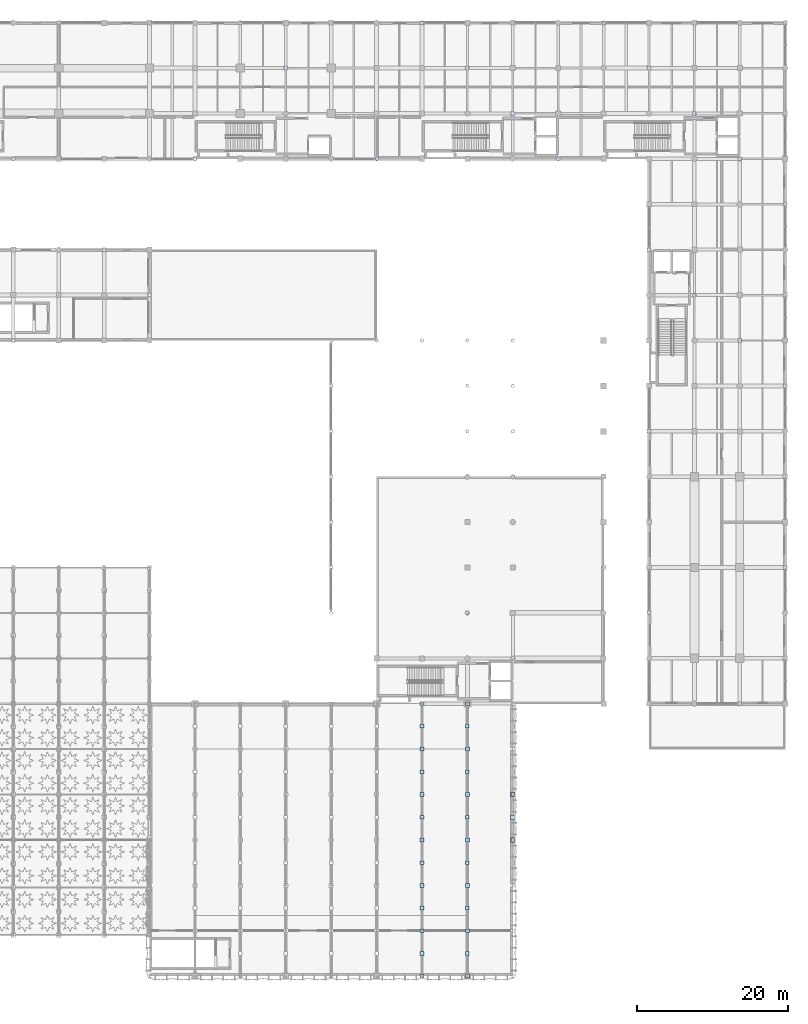
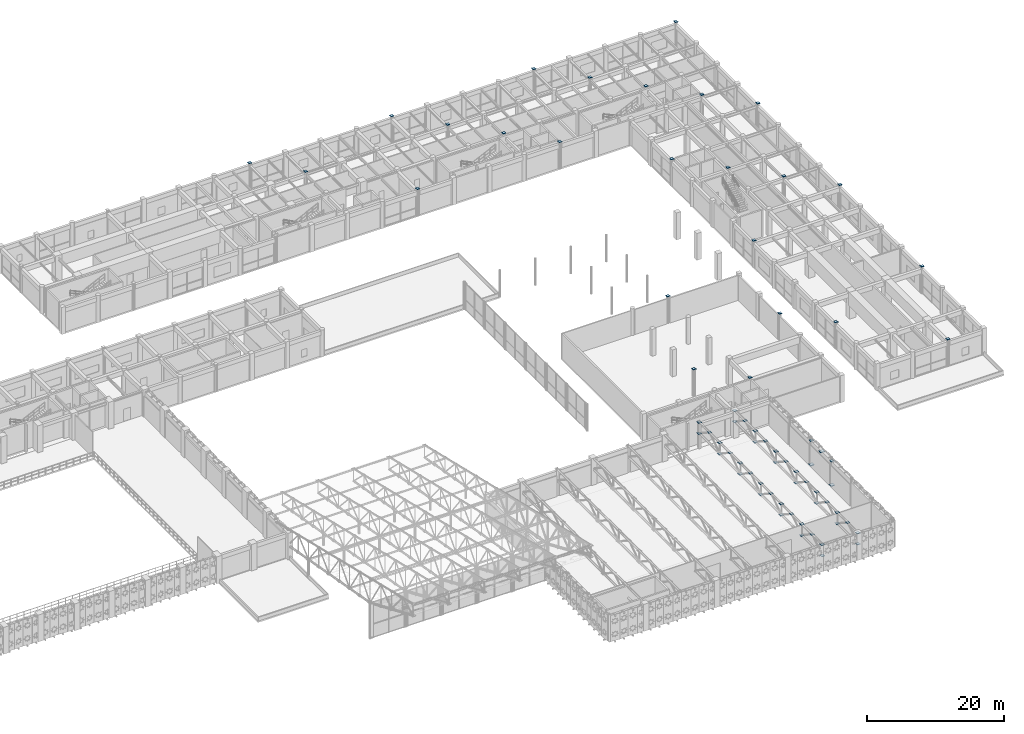
# One storey, part 94 of 123: 70 plates.
"""IFC4 building model written with IfcOpenShell, lengths in metres."""

from ifc_helpers import new_model, si_unit, direction, frame, origin, origin_2d, place, context, subcontext, project, spatial, rectangle, extrude, material, layer, layer_set, type_object, element, save


model = new_model("IFC4")

# Units and contexts
model_context = context("Model", 3, precision=1e-05, world=origin(), true_north=direction((0.0, 1.0)))
body_context = subcontext(model_context, "Body", "Model", "MODEL_VIEW")
ifc_project = project(units=[si_unit("LENGTHUNIT", "METRE"), si_unit("AREAUNIT", "SQUARE_METRE"), si_unit("VOLUMEUNIT", "CUBIC_METRE"), si_unit("PLANEANGLEUNIT", "RADIAN"), si_unit("MASSUNIT", "GRAM", prefix="KILO"), si_unit("THERMODYNAMICTEMPERATUREUNIT", "KELVIN"), si_unit("POWERUNIT", "WATT")], contexts=[model_context])

# Site, building, storey
site_placement = place(None, origin())
site = spatial("IfcSite", under=ifc_project, at=site_placement, CompositionType="ELEMENT")
building_placement = place(site_placement, origin())
building = spatial("IfcBuilding", under=site, at=building_placement, Name="Phaisarnlok Congress Hotel", CompositionType="ELEMENT")
storey_placement = place(building_placement, frame((0.0, 0.0, 15.0)))
storey = spatial("IfcBuildingStorey", under=building, at=storey_placement, Name="L03", CompositionType="ELEMENT", Elevation=15.0)

# Plates
ifc_material = material(Name="Steel S355", Category="steel")
ifc_layer_1 = layer(ifc_material, 0.0400390625, Name="Steel S355")
ifc_layer_set_1 = layer_set([ifc_layer_1], Name="Steel S355")
plate_type_1 = type_object("IfcPlateType", Name="PLT-CAP-480", PredefinedType="SHEET", material=ifc_layer_set_1)
for number, where, z_axis, x_axis, name in (
    (1, (108.0, 126.0, 4.780029296875), (0.0, 0.0, 1.0), (1.0, 0.0, 0.0), "Steel column cap/base plate NP-04 at NP-COLT-COL-L03-108-126"),
    (2, (114.0, 120.0, 4.780029296875), (0.0, 0.0, 1.0), (1.0, 0.0, 0.0), "Steel column cap/base plate NP-04 at NP-COLT-COL-L03-114-120"),
    (3, (126.0, 108.0, 4.780029296875), (0.0, 0.0, 1.0), (1.0, 0.0, 0.0), "Steel column cap/base plate NP-04 at NP-COLT-COL-L03-126-108"),
    (4, (132.0, 126.0, 4.780029296875), (0.0, 0.0, 1.0), (1.0, 0.0, 0.0), "Steel column cap/base plate NP-04 at NP-COLT-COL-L03-132-126"),
    (5, (138.0, 48.0, 4.780029296875), (0.0, 0.0, 1.0), (1.0, 0.0, 0.0), "Steel column cap/base plate NP-04 at NP-COLT-COL-L03-138-048"),
    (6, (138.0, 120.0, 4.780029296875), (0.0, 0.0, 1.0), (1.0, 0.0, 0.0), "Steel column cap/base plate NP-04 at NP-COLT-COL-L03-138-120"),
    (7, (144.0, 42.0, 4.780029296875), (0.0, 0.0, 1.0), (1.0, 0.0, 0.0), "Steel column cap/base plate NP-04 at NP-COLT-COL-L03-144-042"),
    (8, (144.0, 66.0, 4.780029296875), (0.0, 0.0, 1.0), (1.0, 0.0, 0.0), "Steel column cap/base plate NP-04 at NP-COLT-COL-L03-144-066"),
    (9, (144.0, 114.0, 4.780029296875), (0.0, 0.0, 1.0), (1.0, 0.0, 0.0), "Steel column cap/base plate NP-04 at NP-COLT-COL-L03-144-114"),
    (10, (150.0, 108.0, 4.780029296875), (0.0, 0.0, 1.0), (1.0, 0.0, 0.0), "Steel column cap/base plate NP-04 at NP-COLT-COL-L03-150-108"),
    (11, (156.0, 54.0, 4.780029296875), (0.0, 0.0, 1.0), (1.0, 0.0, 0.0), "Steel column cap/base plate NP-04 at NP-COLT-COL-L03-156-054"),
    (12, (156.0, 126.0, 4.780029296875), (0.0, 0.0, 1.0), (1.0, 0.0, 0.0), "Steel column cap/base plate NP-04 at NP-COLT-COL-L03-156-126"),
    (13, (162.0, 48.0, 4.780029296875), (0.0, 0.0, 1.0), (1.0, 0.0, 0.0), "Steel column cap/base plate NP-04 at NP-COLT-COL-L03-162-048"),
    (14, (162.0, 72.0, 4.780029296875), (0.0, 0.0, 1.0), (1.0, 0.0, 0.0), "Steel column cap/base plate NP-04 at NP-COLT-COL-L03-162-072"),
    (15, (162.0, 96.0, 4.780029296875), (0.0, 0.0, 1.0), (1.0, 0.0, 0.0), "Steel column cap/base plate NP-04 at NP-COLT-COL-L03-162-096"),
    (16, (162.0, 120.0, 4.780029296875), (0.0, 0.0, 1.0), (1.0, 0.0, 0.0), "Steel column cap/base plate NP-04 at NP-COLT-COL-L03-162-120"),
    (17, (168.0, 90.0, 4.780029296875), (0.0, 0.0, 1.0), (1.0, 0.0, 0.0), "Steel column cap/base plate NP-04 at NP-COLT-COL-L03-168-090"),
    (18, (168.0, 114.0, 4.780029296875), (0.0, 0.0, 1.0), (1.0, 0.0, 0.0), "Steel column cap/base plate NP-04 at NP-COLT-COL-L03-168-114"),
    (19, (174.0, 36.0, 4.780029296875), (0.0, 0.0, 1.0), (1.0, 0.0, 0.0), "Steel column cap/base plate NP-04 at NP-COLT-COL-L03-174-036"),
    (20, (174.0, 84.0, 4.780029296875), (0.0, 0.0, 1.0), (1.0, 0.0, 0.0), "Steel column cap/base plate NP-04 at NP-COLT-COL-L03-174-084"),
    (21, (174.0, 108.0, 4.780029296875), (0.0, 0.0, 1.0), (1.0, 0.0, 0.0), "Steel column cap/base plate NP-04 at NP-COLT-COL-L03-174-108"),
    (22, (180.0, 54.0, 4.780029296875), (0.0, 0.0, 1.0), (1.0, 0.0, 0.0), "Steel column cap/base plate NP-04 at NP-COLT-COL-L03-180-054"),
    (23, (180.0, 78.0, 4.780029296875), (0.0, 0.0, 1.0), (1.0, 0.0, 0.0), "Steel column cap/base plate NP-04 at NP-COLT-COL-L03-180-078"),
    (24, (180.0, 102.0, 4.780029296875), (0.0, 0.0, 1.0), (1.0, 0.0, 0.0), "Steel column cap/base plate NP-04 at NP-COLT-COL-L03-180-102"),
    (25, (180.0, 126.0, 4.780029296875), (0.0, 0.0, 1.0), (1.0, 0.0, 0.0), "Steel column cap/base plate NP-04 at NP-COLT-COL-L03-180-126"),
):
    element("IfcPlate", number, at=place(storey_placement, frame(where, z_axis=z_axis, x_axis=x_axis)), inside=storey, type_object=plate_type_1, Name=name, PredefinedType="SHEET", context=body_context, shape_type="SweptSolid", body=[
        extrude(rectangle(XDim=0.47998046875, YDim=0.47998046875, at=origin_2d()), origin(), (0.0, 0.0, 1.0), 0.0400390625),
    ])
ifc_layer_2 = layer(ifc_material, 0.01611328125, Name="Steel S355")
ifc_layer_set_2 = layer_set([ifc_layer_2], Name="Steel S355")
plate_type_2 = type_object("IfcPlateType", Name="PLT-GUS-650", PredefinedType="SHEET", material=ifc_layer_set_2)
for number, where, z_axis, x_axis, name in (
    (26, (144.0, 18.0, 0.141845703125), (0.0, 0.0, 1.0), (1.0, 0.0, 0.0), "Steel truss node plate NP-05 at NP-BF-D-L03-A"),
    (27, (144.0, 24.0, 0.141845703125), (0.0, 0.0, 1.0), (1.0, 0.0, 0.0), "Steel truss node plate NP-05 at NP-BF-D-L03-B"),
    (28, (144.0, 21.0, 4.322021484375), (0.0, 0.0, 1.0), (1.0, 0.0, 0.0), "Steel truss node plate NP-05 at NP-BF-D-L03-M"),
):
    element("IfcPlate", number, at=place(storey_placement, frame(where, z_axis=z_axis, x_axis=x_axis)), inside=storey, type_object=plate_type_2, Name=name, PredefinedType="SHEET", context=body_context, shape_type="SweptSolid", body=[
        extrude(rectangle(XDim=0.64990234375, YDim=0.64990234375, at=origin_2d()), origin(), (0.0, 0.0, 1.0), 0.01611328125),
    ])
ifc_layer_3 = layer(ifc_material, 0.02001953125, Name="Steel S355")
ifc_layer_set_3 = layer_set([ifc_layer_3], Name="Steel S355")
plate_type_3 = type_object("IfcPlateType", Name="PLT-NODE-480", PredefinedType="SHEET", material=ifc_layer_set_3)
for number, where, z_axis, x_axis, name in (
    (29, (132.0, 3.0, 4.619873046875), (0.0, 0.0, 1.0), (1.0, 0.0, 0.0), "Steel truss node plate NP-03 at NP-V2M-132-0"),
    (30, (132.0, 9.0, 4.619873046875), (0.0, 0.0, 1.0), (1.0, 0.0, 0.0), "Steel truss node plate NP-03 at NP-V2M-132-1"),
    (31, (132.0, 15.0, 4.619873046875), (0.0, 0.0, 1.0), (1.0, 0.0, 0.0), "Steel truss node plate NP-03 at NP-V2M-132-2"),
    (32, (132.0, 21.0, 4.619873046875), (0.0, 0.0, 1.0), (1.0, 0.0, 0.0), "Steel truss node plate NP-03 at NP-V2M-132-3"),
    (33, (132.0, 27.0, 4.619873046875), (0.0, 0.0, 1.0), (1.0, 0.0, 0.0), "Steel truss node plate NP-03 at NP-V2M-132-4"),
    (34, (132.0, 33.0, 4.619873046875), (0.0, 0.0, 1.0), (1.0, 0.0, 0.0), "Steel truss node plate NP-03 at NP-V2M-132-5"),
    (35, (138.0, 3.0, 4.619873046875), (0.0, 0.0, 1.0), (1.0, 0.0, 0.0), "Steel truss node plate NP-03 at NP-V2M-138-0"),
    (36, (138.0, 9.0, 4.619873046875), (0.0, 0.0, 1.0), (1.0, 0.0, 0.0), "Steel truss node plate NP-03 at NP-V2M-138-1"),
    (37, (138.0, 15.0, 4.619873046875), (0.0, 0.0, 1.0), (1.0, 0.0, 0.0), "Steel truss node plate NP-03 at NP-V2M-138-2"),
    (38, (138.0, 21.0, 4.619873046875), (0.0, 0.0, 1.0), (1.0, 0.0, 0.0), "Steel truss node plate NP-03 at NP-V2M-138-3"),
    (39, (138.0, 27.0, 4.619873046875), (0.0, 0.0, 1.0), (1.0, 0.0, 0.0), "Steel truss node plate NP-03 at NP-V2M-138-4"),
    (40, (138.0, 33.0, 4.619873046875), (0.0, 0.0, 1.0), (1.0, 0.0, 0.0), "Steel truss node plate NP-03 at NP-V2M-138-5"),
    (41, (144.0, 18.0, 4.43994140625), (0.0, 0.0, 1.0), (1.0, 0.0, 0.0), "Steel truss node plate NP-03 at NP-BF-D-L03-T1"),
    (42, (144.0, 24.0, 4.43994140625), (0.0, 0.0, 1.0), (1.0, 0.0, 0.0), "Steel truss node plate NP-03 at NP-BF-D-L03-T2"),
):
    element("IfcPlate", number, at=place(storey_placement, frame(where, z_axis=z_axis, x_axis=x_axis)), inside=storey, type_object=plate_type_3, Name=name, PredefinedType="SHEET", context=body_context, shape_type="SweptSolid", body=[
        extrude(rectangle(XDim=0.47998046875, YDim=0.47998046875, at=origin_2d()), origin(), (0.0, 0.0, 1.0), 0.02001953125),
    ])
ifc_layer_4 = layer(ifc_material, 0.02490234375, Name="Steel S355")
ifc_layer_set_4 = layer_set([ifc_layer_4], Name="Steel S355")
plate_type_4 = type_object("IfcPlateType", Name="PLT-NODE-520", PredefinedType="SHEET", material=ifc_layer_set_4)
for number, where, z_axis, x_axis, name in (
    (43, (132.0, 0.0, 4.617431640625), (0.0, 0.0, 1.0), (1.0, 0.0, 0.0), "Steel truss node plate NP-02 at NP-V2T-132-0"),
    (44, (132.0, 0.0, 2.637451171875), (0.0, 0.0, 1.0), (1.0, 0.0, 0.0), "Steel truss node plate NP-02 at NP-V2B-132-0"),
    (45, (132.0, 6.0, 4.617431640625), (0.0, 0.0, 1.0), (1.0, 0.0, 0.0), "Steel truss node plate NP-02 at NP-V2T-132-1"),
    (46, (132.0, 6.0, 2.637451171875), (0.0, 0.0, 1.0), (1.0, 0.0, 0.0), "Steel truss node plate NP-02 at NP-V2B-132-1"),
    (47, (132.0, 12.0, 4.617431640625), (0.0, 0.0, 1.0), (1.0, 0.0, 0.0), "Steel truss node plate NP-02 at NP-V2T-132-2"),
    (48, (132.0, 12.0, 2.637451171875), (0.0, 0.0, 1.0), (1.0, 0.0, 0.0), "Steel truss node plate NP-02 at NP-V2B-132-2"),
    (49, (132.0, 18.0, 4.617431640625), (0.0, 0.0, 1.0), (1.0, 0.0, 0.0), "Steel truss node plate NP-02 at NP-V2T-132-3"),
    (50, (132.0, 18.0, 2.637451171875), (0.0, 0.0, 1.0), (1.0, 0.0, 0.0), "Steel truss node plate NP-02 at NP-V2B-132-3"),
    (51, (132.0, 24.0, 4.617431640625), (0.0, 0.0, 1.0), (1.0, 0.0, 0.0), "Steel truss node plate NP-02 at NP-V2T-132-4"),
    (52, (132.0, 24.0, 2.637451171875), (0.0, 0.0, 1.0), (1.0, 0.0, 0.0), "Steel truss node plate NP-02 at NP-V2B-132-4"),
    (53, (132.0, 30.0, 4.617431640625), (0.0, 0.0, 1.0), (1.0, 0.0, 0.0), "Steel truss node plate NP-02 at NP-V2T-132-5"),
    (54, (132.0, 30.0, 2.637451171875), (0.0, 0.0, 1.0), (1.0, 0.0, 0.0), "Steel truss node plate NP-02 at NP-V2B-132-5"),
    (55, (132.0, 36.0, 4.617431640625), (0.0, 0.0, 1.0), (1.0, 0.0, 0.0), "Steel truss node plate NP-02 at NP-V2T-132-6"),
    (56, (132.0, 36.0, 2.637451171875), (0.0, 0.0, 1.0), (1.0, 0.0, 0.0), "Steel truss node plate NP-02 at NP-V2B-132-6"),
    (57, (138.0, 0.0, 4.617431640625), (0.0, 0.0, 1.0), (1.0, 0.0, 0.0), "Steel truss node plate NP-02 at NP-V2T-138-0"),
    (58, (138.0, 0.0, 2.637451171875), (0.0, 0.0, 1.0), (1.0, 0.0, 0.0), "Steel truss node plate NP-02 at NP-V2B-138-0"),
    (59, (138.0, 6.0, 4.617431640625), (0.0, 0.0, 1.0), (1.0, 0.0, 0.0), "Steel truss node plate NP-02 at NP-V2T-138-1"),
    (60, (138.0, 6.0, 2.637451171875), (0.0, 0.0, 1.0), (1.0, 0.0, 0.0), "Steel truss node plate NP-02 at NP-V2B-138-1"),
    (61, (138.0, 12.0, 4.617431640625), (0.0, 0.0, 1.0), (1.0, 0.0, 0.0), "Steel truss node plate NP-02 at NP-V2T-138-2"),
    (62, (138.0, 12.0, 2.637451171875), (0.0, 0.0, 1.0), (1.0, 0.0, 0.0), "Steel truss node plate NP-02 at NP-V2B-138-2"),
    (63, (138.0, 18.0, 4.617431640625), (0.0, 0.0, 1.0), (1.0, 0.0, 0.0), "Steel truss node plate NP-02 at NP-V2T-138-3"),
    (64, (138.0, 18.0, 2.637451171875), (0.0, 0.0, 1.0), (1.0, 0.0, 0.0), "Steel truss node plate NP-02 at NP-V2B-138-3"),
    (65, (138.0, 24.0, 4.617431640625), (0.0, 0.0, 1.0), (1.0, 0.0, 0.0), "Steel truss node plate NP-02 at NP-V2T-138-4"),
    (66, (138.0, 24.0, 2.637451171875), (0.0, 0.0, 1.0), (1.0, 0.0, 0.0), "Steel truss node plate NP-02 at NP-V2B-138-4"),
    (67, (138.0, 30.0, 4.617431640625), (0.0, 0.0, 1.0), (1.0, 0.0, 0.0), "Steel truss node plate NP-02 at NP-V2T-138-5"),
    (68, (138.0, 30.0, 2.637451171875), (0.0, 0.0, 1.0), (1.0, 0.0, 0.0), "Steel truss node plate NP-02 at NP-V2B-138-5"),
    (69, (138.0, 36.0, 4.617431640625), (0.0, 0.0, 1.0), (1.0, 0.0, 0.0), "Steel truss node plate NP-02 at NP-V2T-138-6"),
    (70, (138.0, 36.0, 2.637451171875), (0.0, 0.0, 1.0), (1.0, 0.0, 0.0), "Steel truss node plate NP-02 at NP-V2B-138-6"),
):
    element("IfcPlate", number, at=place(storey_placement, frame(where, z_axis=z_axis, x_axis=x_axis)), inside=storey, type_object=plate_type_4, Name=name, PredefinedType="SHEET", context=body_context, shape_type="SweptSolid", body=[
        extrude(rectangle(XDim=0.52001953125, YDim=0.52001953125, at=origin_2d()), origin(), (0.0, 0.0, 1.0), 0.02490234375),
    ])

save(model, "model.ifc")
